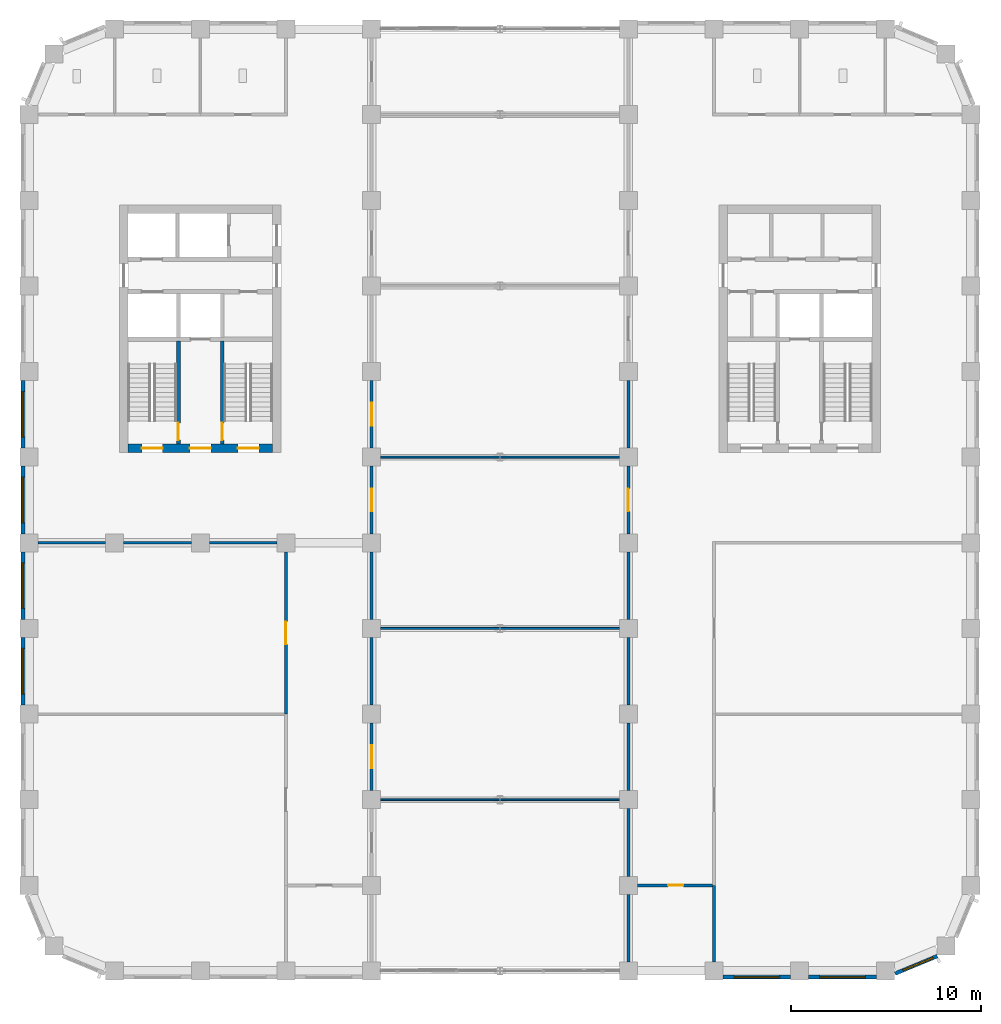
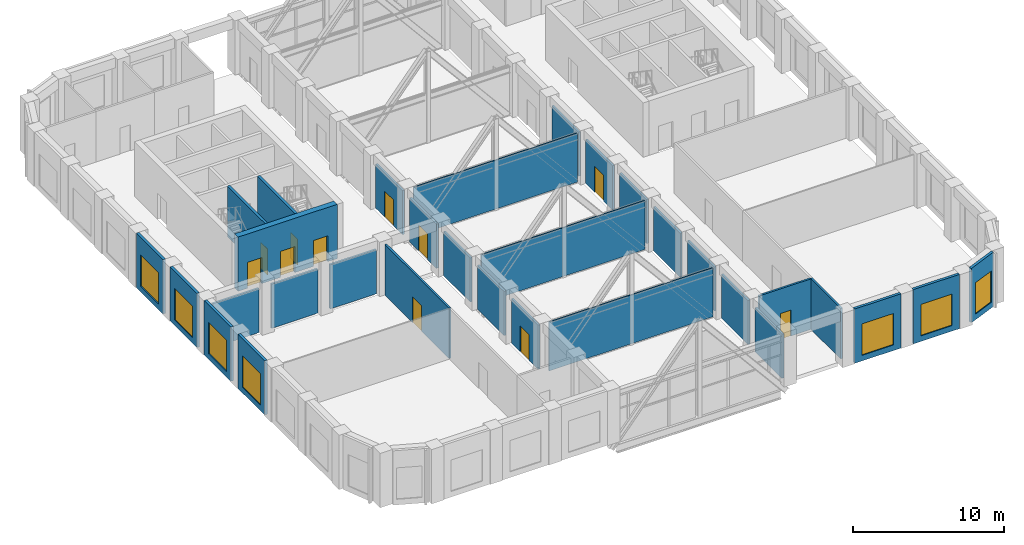
# One storey, part 8 of 15: 31 walls, 11 doors, 7 windows, 18 openings.
"""IFC4 building model written with IfcOpenShell, lengths in metres."""

from ifc_helpers import new_model, si_unit, direction, frame, frame_2d, origin, place, context, subcontext, project, spatial, rectangle, extrude, material, layer, layer_set, type_object, element, fill, save


model = new_model("IFC4")

# Units and contexts
model_context = context("Model", 3, precision=1e-05, world=origin(), true_north=direction((0.0, 1.0)))
body_context = subcontext(model_context, "Body", "Model", "MODEL_VIEW")
ifc_project = project(units=[si_unit("LENGTHUNIT", "METRE"), si_unit("AREAUNIT", "SQUARE_METRE"), si_unit("VOLUMEUNIT", "CUBIC_METRE"), si_unit("PLANEANGLEUNIT", "RADIAN"), si_unit("MASSUNIT", "GRAM", prefix="KILO")], contexts=[model_context])

# Site, building, storey
site_placement = place(None, origin())
site = spatial("IfcSite", under=ifc_project, at=site_placement, CompositionType="ELEMENT")
building_placement = place(site_placement, origin())
building = spatial("IfcBuilding", under=site, at=building_placement, Name="Girih Gate Residences", CompositionType="ELEMENT")
storey_placement = place(building_placement, frame((0.0, 0.0, 168.199951171875)))
storey = spatial("IfcBuildingStorey", under=building, at=storey_placement, Name="L46", CompositionType="ELEMENT", Elevation=168.199951171875)

# Walls
ifc_material_1 = material(Name="Gypsum board on steel studs", Category="steel")
ifc_layer_1 = layer(ifc_material_1, 0.14990234375)
ifc_layer_set_1 = layer_set([ifc_layer_1], Name="Compartment wall 150 mm")
wall_type_1 = type_object("IfcWallType", Name="Compartment wall 150 mm", PredefinedType="PARTITIONING", material=ifc_layer_set_1)
for number, where, z_axis, x_axis, name in (
    (1, (31.5, 0.47509765625, 0.0), (0.0, 0.0, 1.0), (0.0, 1.0, 0.0), "L46 partition"),
    (2, (31.5, 4.97509765625, 0.0), (0.0, 0.0, 1.0), (0.0, 1.0, 0.0), "L46 partition"),
    (3, (31.5, 13.97509765625, 0.0), (0.0, 0.0, 1.0), (0.0, 1.0, 0.0), "L46 partition"),
    (4, (31.5, 9.47509765625, 0.0), (0.0, 0.0, 1.0), (0.0, 1.0, 0.0), "L46 partition"),
):
    element("IfcWall", number, at=place(storey_placement, frame(where, z_axis=z_axis, x_axis=x_axis)), inside=storey, type_object=wall_type_1, Name=name, PredefinedType="PARTITIONING", context=body_context, shape_type="SweptSolid", body=[
        extrude(rectangle(XDim=3.5498046875, YDim=0.14990234375, at=frame_2d((1.77490234375, 0.0))), origin(), (0.0, 0.0, 1.0), 3.580078125),
    ])

# Wall, opening, door
wall_1_placement = place(storey_placement, frame((18.0, 13.02490234375, 0.0), z_axis=(0.0, 0.0, 1.0), x_axis=(0.0, -1.0, 0.0)))
wall_1 = element("IfcWall", 5, at=wall_1_placement, inside=storey, type_object=wall_type_1, Name="L46 partition", PredefinedType="PARTITIONING", context=body_context, shape_type="SweptSolid", body=[
    extrude(rectangle(XDim=3.5498046875, YDim=0.14990234375, at=frame_2d((1.77490234375, 0.0))), origin(), (0.0, 0.0, 1.0), 3.580078125),
])
opening_1_placement = place(wall_1_placement, frame((1.175048828125, 0.0, 0.0)))
opening_1 = element("IfcOpeningElement", 6, at=opening_1_placement, cuts=wall_1, Name="Opening D-L46-S-002", PredefinedType="OPENING", context=body_context, shape_type="SweptSolid", body=[
    extrude(rectangle(XDim=1.199951171875, YDim=2.10009765625, at=frame_2d((0.60009765625, 1.050048828125))), frame((0.0, 0.0849609375, 0.0), z_axis=(0.0, -1.0, 0.0), x_axis=(1.0, 0.0, 0.0)), (0.0, 0.0, 1.0), 0.169921875),
])
ifc_material_2 = material(Name="Timber, fire-rated core", Category="wood")
door_type_1 = type_object("IfcDoorType", Name="Gallery fire door 1200x2100 FD30S", OperationType="SINGLE_SWING_LEFT", PredefinedType="DOOR", material=ifc_material_2)
door_1_placement = place(opening_1_placement, origin())
door_1 = element("IfcDoor", 7, at=door_1_placement, inside=storey, type_object=door_type_1, Name="Door L46-002", OperationType="SINGLE_SWING_LEFT", OverallHeight=2.10009765625, OverallWidth=1.199951171875, PredefinedType="DOOR", context=body_context, shape_type="SweptSolid", body=[
    extrude(rectangle(XDim=1.199951171875, YDim=2.10009765625, at=frame_2d((0.60009765625, 1.050048828125))), frame((0.0, 0.02490234375, 0.0), z_axis=(0.0, -1.0, 0.0), x_axis=(1.0, 0.0, 0.0)), (0.0, 0.0, 1.0), 0.050048828125),
])
fill(opening_1, door_1)

# Wall
wall_2_placement = place(storey_placement, frame((18.0, 13.97509765625, 0.0), z_axis=(0.0, 0.0, 1.0), x_axis=(0.0, 1.0, 0.0)))
element("IfcWall", 8, at=wall_2_placement, inside=storey, type_object=wall_type_1, Name="L46 partition", PredefinedType="PARTITIONING", context=body_context, shape_type="SweptSolid", body=[
    extrude(rectangle(XDim=3.5498046875, YDim=0.14990234375, at=frame_2d((1.77490234375, 0.0))), origin(), (0.0, 0.0, 1.0), 3.580078125),
])

# Wall, opening, door
wall_3_placement = place(storey_placement, frame((31.5, 22.97509765625, 0.0), z_axis=(0.0, 0.0, 1.0), x_axis=(0.0, 1.0, 0.0)))
wall_3 = element("IfcWall", 9, at=wall_3_placement, inside=storey, type_object=wall_type_1, Name="L46 partition", PredefinedType="PARTITIONING", context=body_context, shape_type="SweptSolid", body=[
    extrude(rectangle(XDim=3.5498046875, YDim=0.14990234375, at=frame_2d((1.77490234375, 0.0))), origin(), (0.0, 0.0, 1.0), 3.580078125),
])
opening_2_placement = place(wall_3_placement, frame((1.175048828125, 0.0, 0.0)))
opening_2 = element("IfcOpeningElement", 10, at=opening_2_placement, cuts=wall_3, Name="Opening D-L46-S-003", PredefinedType="OPENING", context=body_context, shape_type="SweptSolid", body=[
    extrude(rectangle(XDim=1.199951171875, YDim=2.10009765625, at=frame_2d((0.60009765625, 1.050048828125))), frame((0.0, 0.0849609375, 0.0), z_axis=(0.0, -1.0, 0.0), x_axis=(1.0, 0.0, 0.0)), (0.0, 0.0, 1.0), 0.169921875),
])
door_2_placement = place(opening_2_placement, origin())
door_2 = element("IfcDoor", 11, at=door_2_placement, inside=storey, type_object=door_type_1, Name="Door L46-003", OperationType="SINGLE_SWING_LEFT", OverallHeight=2.10009765625, OverallWidth=1.199951171875, PredefinedType="DOOR", context=body_context, shape_type="SweptSolid", body=[
    extrude(rectangle(XDim=1.199951171875, YDim=2.10009765625, at=frame_2d((0.60009765625, 1.050048828125))), frame((0.0, 0.02490234375, 0.0), z_axis=(0.0, -1.0, 0.0), x_axis=(1.0, 0.0, 0.0)), (0.0, 0.0, 1.0), 0.050048828125),
])
fill(opening_2, door_2)

# Wall
wall_4_placement = place(storey_placement, frame((31.5, 18.47509765625, 0.0), z_axis=(0.0, 0.0, 1.0), x_axis=(0.0, 1.0, 0.0)))
element("IfcWall", 12, at=wall_4_placement, inside=storey, type_object=wall_type_1, Name="L46 partition", PredefinedType="PARTITIONING", context=body_context, shape_type="SweptSolid", body=[
    extrude(rectangle(XDim=3.5498046875, YDim=0.14990234375, at=frame_2d((1.77490234375, 0.0))), origin(), (0.0, 0.0, 1.0), 3.580078125),
])

# Wall, opening, door
wall_5_placement = place(storey_placement, frame((18.0, 26.52490234375, 0.0), z_axis=(0.0, 0.0, 1.0), x_axis=(0.0, -1.0, 0.0)))
wall_5 = element("IfcWall", 13, at=wall_5_placement, inside=storey, type_object=wall_type_1, Name="L46 partition", PredefinedType="PARTITIONING", context=body_context, shape_type="SweptSolid", body=[
    extrude(rectangle(XDim=3.5498046875, YDim=0.14990234375, at=frame_2d((1.77490234375, 0.0))), origin(), (0.0, 0.0, 1.0), 3.580078125),
])
opening_3_placement = place(wall_5_placement, frame((1.175048828125, 0.0, 0.0)))
opening_3 = element("IfcOpeningElement", 14, at=opening_3_placement, cuts=wall_5, Name="Opening D-L46-S-004", PredefinedType="OPENING", context=body_context, shape_type="SweptSolid", body=[
    extrude(rectangle(XDim=1.199951171875, YDim=2.10009765625, at=frame_2d((0.60009765625, 1.050048828125))), frame((0.0, 0.0849609375, 0.0), z_axis=(0.0, -1.0, 0.0), x_axis=(1.0, 0.0, 0.0)), (0.0, 0.0, 1.0), 0.169921875),
])
door_3_placement = place(opening_3_placement, origin())
door_3 = element("IfcDoor", 15, at=door_3_placement, inside=storey, type_object=door_type_1, Name="Door L46-004", OperationType="SINGLE_SWING_LEFT", OverallHeight=2.10009765625, OverallWidth=1.199951171875, PredefinedType="DOOR", context=body_context, shape_type="SweptSolid", body=[
    extrude(rectangle(XDim=1.199951171875, YDim=2.10009765625, at=frame_2d((0.60009765625, 1.050048828125))), frame((0.0, 0.02490234375, 0.0), z_axis=(0.0, -1.0, 0.0), x_axis=(1.0, 0.0, 0.0)), (0.0, 0.0, 1.0), 0.050048828125),
])
fill(opening_3, door_3)

# Walls
for number, where, z_axis, x_axis, name in (
    (16, (18.0, 18.47509765625, 0.0), (0.0, 0.0, 1.0), (0.0, 1.0, 0.0), "L46 partition"),
    (17, (31.5, 27.47509765625, 0.0), (0.0, 0.0, 1.0), (0.0, 1.0, 0.0), "L46 partition"),
):
    element("IfcWall", number, at=place(storey_placement, frame(where, z_axis=z_axis, x_axis=x_axis)), inside=storey, type_object=wall_type_1, Name=name, PredefinedType="PARTITIONING", context=body_context, shape_type="SweptSolid", body=[
        extrude(rectangle(XDim=3.5498046875, YDim=0.14990234375, at=frame_2d((1.77490234375, 0.0))), origin(), (0.0, 0.0, 1.0), 3.580078125),
    ])

# Wall, opening, door
wall_6_placement = place(storey_placement, frame((18.0, 31.02490234375, 0.0), z_axis=(0.0, 0.0, 1.0), x_axis=(0.0, -1.0, 0.0)))
wall_6 = element("IfcWall", 18, at=wall_6_placement, inside=storey, type_object=wall_type_1, Name="L46 partition", PredefinedType="PARTITIONING", context=body_context, shape_type="SweptSolid", body=[
    extrude(rectangle(XDim=3.5498046875, YDim=0.14990234375, at=frame_2d((1.77490234375, 0.0))), origin(), (0.0, 0.0, 1.0), 3.580078125),
])
opening_4_placement = place(wall_6_placement, frame((1.175048828125, 0.0, 0.0)))
opening_4 = element("IfcOpeningElement", 19, at=opening_4_placement, cuts=wall_6, Name="Opening D-L46-S-006", PredefinedType="OPENING", context=body_context, shape_type="SweptSolid", body=[
    extrude(rectangle(XDim=1.199951171875, YDim=2.10009765625, at=frame_2d((0.60009765625, 1.050048828125))), frame((0.0, 0.0849609375, 0.0), z_axis=(0.0, -1.0, 0.0), x_axis=(1.0, 0.0, 0.0)), (0.0, 0.0, 1.0), 0.169921875),
])
door_4_placement = place(opening_4_placement, origin())
door_4 = element("IfcDoor", 20, at=door_4_placement, inside=storey, type_object=door_type_1, Name="Door L46-006", OperationType="SINGLE_SWING_LEFT", OverallHeight=2.10009765625, OverallWidth=1.199951171875, PredefinedType="DOOR", context=body_context, shape_type="SweptSolid", body=[
    extrude(rectangle(XDim=1.199951171875, YDim=2.10009765625, at=frame_2d((0.60009765625, 1.050048828125))), frame((0.0, 0.02490234375, 0.0), z_axis=(0.0, -1.0, 0.0), x_axis=(1.0, 0.0, 0.0)), (0.0, 0.0, 1.0), 0.050048828125),
])
fill(opening_4, door_4)

# Wall
wall_7_placement = place(storey_placement, frame((36.0, 0.47509765625, 0.0), z_axis=(0.0, 0.0, 1.0), x_axis=(0.0, 1.0, 0.0)))
element("IfcWall", 21, at=wall_7_placement, inside=storey, type_object=wall_type_1, Name="L46 partition", PredefinedType="PARTITIONING", context=body_context, shape_type="SweptSolid", body=[
    extrude(rectangle(XDim=4.02490234375, YDim=0.14990234375, at=frame_2d((2.012451171875, 0.0))), origin(), (0.0, 0.0, 1.0), 4.10009765625),
])

# Wall, opening, door
wall_8_placement = place(storey_placement, frame((35.925048828125, 4.5, 0.0), z_axis=(0.0, 0.0, 1.0), x_axis=(-1.0, 0.0, 0.0)))
wall_8 = element("IfcWall", 22, at=wall_8_placement, inside=storey, type_object=wall_type_1, Name="L46 partition", PredefinedType="PARTITIONING", context=body_context, shape_type="SweptSolid", body=[
    extrude(rectangle(XDim=3.949951171875, YDim=0.14990234375, at=frame_2d((1.97509765625, 0.0))), origin(), (0.0, 0.0, 1.0), 4.10009765625),
])
opening_5_placement = place(wall_8_placement, frame((1.53759765625, 0.0, 0.0)))
opening_5 = element("IfcOpeningElement", 23, at=opening_5_placement, cuts=wall_8, Name="Opening D-L46-S-013", PredefinedType="OPENING", context=body_context, shape_type="SweptSolid", body=[
    extrude(rectangle(XDim=0.800048828125, YDim=2.10009765625, at=frame_2d((0.39990234375, 1.050048828125))), frame((0.0, 0.0849609375, 0.0), z_axis=(0.0, -1.0, 0.0), x_axis=(1.0, 0.0, 0.0)), (0.0, 0.0, 1.0), 0.169921875),
])
ifc_material_3 = material(Name="Timber", Category="wood")
door_type_2 = type_object("IfcDoorType", Name="WC and store door 800x2100", OperationType="SINGLE_SWING_LEFT", PredefinedType="DOOR", material=ifc_material_3)
door_5_placement = place(opening_5_placement, origin())
door_5 = element("IfcDoor", 24, at=door_5_placement, inside=storey, type_object=door_type_2, Name="Door L46-013", OperationType="SINGLE_SWING_LEFT", OverallHeight=2.10009765625, OverallWidth=0.800048828125, PredefinedType="DOOR", context=body_context, shape_type="SweptSolid", body=[
    extrude(rectangle(XDim=0.800048828125, YDim=2.10009765625, at=frame_2d((0.39990234375, 1.050048828125))), frame((0.0, 0.02490234375, 0.0), z_axis=(0.0, -1.0, 0.0), x_axis=(1.0, 0.0, 0.0)), (0.0, 0.0, 1.0), 0.050048828125),
])
fill(opening_5, door_5)

# Walls
for number, where, z_axis, x_axis, name in (
    (25, (9.47509765625, 22.5, 0.0), (0.0, 0.0, 1.0), (1.0, 0.0, 0.0), "L46 partition"),
    (26, (4.97509765625, 22.5, 0.0), (0.0, 0.0, 1.0), (1.0, 0.0, 0.0), "L46 partition"),
    (27, (0.47509765625, 22.5, 0.0), (0.0, 0.0, 1.0), (1.0, 0.0, 0.0), "L46 partition"),
):
    element("IfcWall", number, at=place(storey_placement, frame(where, z_axis=z_axis, x_axis=x_axis)), inside=storey, type_object=wall_type_1, Name=name, PredefinedType="PARTITIONING", context=body_context, shape_type="SweptSolid", body=[
        extrude(rectangle(XDim=3.5498046875, YDim=0.14990234375, at=frame_2d((1.77490234375, 0.0))), origin(), (0.0, 0.0, 1.0), 3.580078125),
    ])

# Wall, opening, door
wall_9_placement = place(storey_placement, frame((13.5, 13.5, 0.0), z_axis=(0.0, 0.0, 1.0), x_axis=(0.0, 1.0, 0.0)))
wall_9 = element("IfcWall", 28, at=wall_9_placement, inside=storey, type_object=wall_type_1, Name="L46 partition", PredefinedType="PARTITIONING", context=body_context, shape_type="SweptSolid", body=[
    extrude(rectangle(XDim=8.52490234375, YDim=0.14990234375, at=frame_2d((4.262451171875, 0.0))), origin(), (0.0, 0.0, 1.0), 4.10009765625),
])
opening_6_placement = place(wall_9_placement, frame((3.66259765625, 0.0, 0.0)))
opening_6 = element("IfcOpeningElement", 29, at=opening_6_placement, cuts=wall_9, Name="Opening D-L46-S-021", PredefinedType="OPENING", context=body_context, shape_type="SweptSolid", body=[
    extrude(rectangle(XDim=1.199951171875, YDim=2.10009765625, at=frame_2d((0.60009765625, 1.050048828125))), frame((0.0, 0.0849609375, 0.0), z_axis=(0.0, -1.0, 0.0), x_axis=(1.0, 0.0, 0.0)), (0.0, 0.0, 1.0), 0.169921875),
])
door_6_placement = place(opening_6_placement, origin())
door_6 = element("IfcDoor", 30, at=door_6_placement, inside=storey, type_object=door_type_1, Name="Door L46-021", OperationType="SINGLE_SWING_RIGHT", OverallHeight=2.10009765625, OverallWidth=1.199951171875, PredefinedType="DOOR", context=body_context, shape_type="SweptSolid", body=[
    extrude(rectangle(XDim=1.199951171875, YDim=2.10009765625, at=frame_2d((0.60009765625, 1.050048828125))), frame((0.0, 0.02490234375, 0.0), z_axis=(0.0, -1.0, 0.0), x_axis=(1.0, 0.0, 0.0)), (0.0, 0.0, 1.0), 0.050048828125),
])
fill(opening_6, door_6)

# Wall, openings, doors
ifc_material_4 = material(Name="Concrete C60/75", Category="concrete")
ifc_layer_2 = layer(ifc_material_4, 0.449951171875)
ifc_layer_set_2 = layer_set([ifc_layer_2], Name="Core wall RC 450 Concrete C60/75")
wall_type_2 = type_object("IfcWallType", Name="Core wall RC 450 Concrete C60/75", PredefinedType="SOLIDWALL", material=ifc_layer_set_2)
wall_10_placement = place(storey_placement, frame((5.199951171875, 27.47509765625, 0.0), z_axis=(0.0, 0.0, 1.0), x_axis=(1.0, 0.0, 0.0)))
wall_10 = element("IfcWall", 31, at=wall_10_placement, inside=storey, type_object=wall_type_2, Name="Core wall W-S L46", PredefinedType="SOLIDWALL", context=body_context, shape_type="SweptSolid", body=[
    extrude(rectangle(XDim=7.60009765625, YDim=0.449951171875, at=frame_2d((3.800048828125, 0.0))), origin(), (0.0, 0.0, 1.0), 4.400146484375),
])
opening_7_placement = place(wall_10_placement, frame((0.72509765625, 0.0, 0.0)))
opening_7 = element("IfcOpeningElement", 32, at=opening_7_placement, cuts=wall_10, Name="Opening D-L46-W-008", PredefinedType="OPENING", context=body_context, shape_type="SweptSolid", body=[
    extrude(rectangle(XDim=1.10009765625, YDim=2.10009765625, at=frame_2d((0.550048828125, 1.050048828125))), frame((0.0, 0.23486328125, 0.0), z_axis=(0.0, -1.0, 0.0), x_axis=(1.0, 0.0, 0.0)), (0.0, 0.0, 1.0), 0.469970703125),
])
opening_8_placement = place(wall_10_placement, frame((3.25, 0.0, 0.0)))
opening_8 = element("IfcOpeningElement", 33, at=opening_8_placement, cuts=wall_10, Name="Opening D-L46-W-009", PredefinedType="OPENING", context=body_context, shape_type="SweptSolid", body=[
    extrude(rectangle(XDim=1.10009765625, YDim=2.10009765625, at=frame_2d((0.550048828125, 1.050048828125))), frame((0.0, 0.23486328125, 0.0), z_axis=(0.0, -1.0, 0.0), x_axis=(1.0, 0.0, 0.0)), (0.0, 0.0, 1.0), 0.469970703125),
])
opening_9_placement = place(wall_10_placement, frame((5.77490234375, 0.0, 0.0)))
opening_9 = element("IfcOpeningElement", 34, at=opening_9_placement, cuts=wall_10, Name="Opening D-L46-W-010", PredefinedType="OPENING", context=body_context, shape_type="SweptSolid", body=[
    extrude(rectangle(XDim=1.10009765625, YDim=2.10009765625, at=frame_2d((0.550048828125, 1.050048828125))), frame((0.0, 0.23486328125, 0.0), z_axis=(0.0, -1.0, 0.0), x_axis=(1.0, 0.0, 0.0)), (0.0, 0.0, 1.0), 0.469970703125),
])
ifc_material_5 = material(Name="Painted steel, fire-resisting", Category="steel")
door_type_3 = type_object("IfcDoorType", Name="Fire door 1100x2100", OperationType="SINGLE_SWING_LEFT", PredefinedType="DOOR", material=ifc_material_5)
door_7_placement = place(opening_7_placement, origin())
door_7 = element("IfcDoor", 35, at=door_7_placement, inside=storey, type_object=door_type_3, Name="L46 W core door sta-out", OperationType="SINGLE_SWING_LEFT", OverallHeight=2.10009765625, OverallWidth=1.10009765625, PredefinedType="DOOR", context=body_context, shape_type="SweptSolid", body=[
    extrude(rectangle(XDim=1.10009765625, YDim=2.10009765625, at=frame_2d((0.550048828125, 1.050048828125))), frame((0.0, 0.02490234375, 0.0), z_axis=(0.0, -1.0, 0.0), x_axis=(1.0, 0.0, 0.0)), (0.0, 0.0, 1.0), 0.050048828125),
])
fill(opening_7, door_7)
door_8_placement = place(opening_8_placement, origin())
door_8 = element("IfcDoor", 36, at=door_8_placement, inside=storey, type_object=door_type_3, Name="L46 W core door ffl-out", OperationType="SINGLE_SWING_LEFT", OverallHeight=2.10009765625, OverallWidth=1.10009765625, PredefinedType="DOOR", context=body_context, shape_type="SweptSolid", body=[
    extrude(rectangle(XDim=1.10009765625, YDim=2.10009765625, at=frame_2d((0.550048828125, 1.050048828125))), frame((0.0, 0.02490234375, 0.0), z_axis=(0.0, -1.0, 0.0), x_axis=(1.0, 0.0, 0.0)), (0.0, 0.0, 1.0), 0.050048828125),
])
fill(opening_8, door_8)
door_9_placement = place(opening_9_placement, origin())
door_9 = element("IfcDoor", 37, at=door_9_placement, inside=storey, type_object=door_type_3, Name="L46 W core door stb-out", OperationType="SINGLE_SWING_LEFT", OverallHeight=2.10009765625, OverallWidth=1.10009765625, PredefinedType="DOOR", context=body_context, shape_type="SweptSolid", body=[
    extrude(rectangle(XDim=1.10009765625, YDim=2.10009765625, at=frame_2d((0.550048828125, 1.050048828125))), frame((0.0, 0.02490234375, 0.0), z_axis=(0.0, -1.0, 0.0), x_axis=(1.0, 0.0, 0.0)), (0.0, 0.0, 1.0), 0.050048828125),
])
fill(opening_9, door_9)

# Walls
ifc_layer_3 = layer(ifc_material_1, 0.10009765625)
ifc_layer_set_3 = layer_set([ifc_layer_3], Name="Partition 100 mm")
wall_type_3 = type_object("IfcWallType", Name="Partition 100 mm", PredefinedType="PARTITIONING", material=ifc_layer_set_3)
for number, where, z_axis, x_axis, name in (
    (38, (18.47509765625, 9.0, 0.0), (0.0, 0.0, 1.0), (1.0, 0.0, 0.0), "L46 partition"),
    (39, (18.47509765625, 18.0, 0.0), (0.0, 0.0, 1.0), (1.0, 0.0, 0.0), "L46 partition"),
    (40, (18.47509765625, 27.0, 0.0), (0.0, 0.0, 1.0), (1.0, 0.0, 0.0), "L46 partition"),
):
    element("IfcWall", number, at=place(storey_placement, frame(where, z_axis=z_axis, x_axis=x_axis)), inside=storey, type_object=wall_type_3, Name=name, PredefinedType="PARTITIONING", context=body_context, shape_type="SweptSolid", body=[
        extrude(rectangle(XDim=12.5498046875, YDim=0.10009765625, at=frame_2d((6.27490234375, 0.0))), origin(), (0.0, 0.0, 1.0), 3.949951171875),
    ])

# Wall, opening, window
ifc_material_6 = material(Name="Precast concrete C50/60", Category="concrete")
ifc_layer_4 = layer(ifc_material_6, 0.06005859375, Name="Outer leaf")
ifc_material_7 = material(Name="Rigid PIR insulation")
ifc_layer_5 = layer(ifc_material_7, 0.090087890625, Name="Insulation")
ifc_material_8 = material(Name="Precast concrete C40/50", Category="concrete")
ifc_layer_6 = layer(ifc_material_8, 0.050048828125, Name="Inner leaf")
ifc_layer_set_4 = layer_set([ifc_layer_4, ifc_layer_5, ifc_layer_6], Name="Precast concrete C50/60 external wall 200")
wall_type_4 = type_object("IfcWallType", Name="Precast concrete C50/60 external wall 200", PredefinedType="SOLIDWALL", material=ifc_layer_set_4)
wall_11_placement = place(storey_placement, frame((40.02490234375, -0.324951171875, 0.0), z_axis=(0.0, 0.0, 1.0), x_axis=(-1.0, 0.0, 0.0)))
wall_11 = element("IfcWall", 41, at=wall_11_placement, inside=storey, type_object=wall_type_4, Name="External wall S0045_0000.7", PredefinedType="SOLIDWALL", context=body_context, shape_type="SweptSolid", body=[
    extrude(rectangle(XDim=3.5498046875, YDim=0.199951171875, at=frame_2d((1.77490234375, 0.0))), origin(), (0.0, 0.0, 1.0), 4.400146484375),
])
opening_10_placement = place(wall_11_placement, frame((0.574951171875, 0.0, 0.449951171875)))
opening_10 = element("IfcOpeningElement", 42, at=opening_10_placement, cuts=wall_11, Name="Opening W-6B", PredefinedType="OPENING", context=body_context, shape_type="SweptSolid", body=[
    extrude(rectangle(XDim=2.39990234375, YDim=2.550048828125, at=frame_2d((1.199951171875, 1.27490234375))), frame((0.0, 0.10986328125, 0.0), z_axis=(0.0, -1.0, 0.0), x_axis=(1.0, 0.0, 0.0)), (0.0, 0.0, 1.0), 0.219970703125),
])
ifc_material_9 = material(Name="Double glazing in aluminium frame", Category="aluminium")
window_type_1 = type_object("IfcWindowType", Name="Window W-6B 2400x2550", PartitioningType="SINGLE_PANEL", PredefinedType="WINDOW", material=ifc_material_9)
window_1_placement = place(opening_10_placement, origin())
window_1 = element("IfcWindow", 43, at=window_1_placement, inside=storey, type_object=window_type_1, Name="Window W-6B S0045_0000.7", OverallHeight=2.550048828125, OverallWidth=2.39990234375, PartitioningType="SINGLE_PANEL", PredefinedType="WINDOW", context=body_context, shape_type="SweptSolid", body=[
    extrude(rectangle(XDim=2.39990234375, YDim=2.550048828125, at=frame_2d((1.199951171875, 1.27490234375))), frame((0.0, 0.030029296875, 0.0), z_axis=(0.0, -1.0, 0.0), x_axis=(1.0, 0.0, 0.0)), (0.0, 0.0, 1.0), 0.06005859375),
])
fill(opening_10, window_1)

wall_12_placement = place(storey_placement, frame((44.52490234375, -0.324951171875, 0.0), z_axis=(0.0, 0.0, 1.0), x_axis=(-1.0, 0.0, 0.0)))
wall_12 = element("IfcWall", 44, at=wall_12_placement, inside=storey, type_object=wall_type_4, Name="External wall S0045_0000.8", PredefinedType="SOLIDWALL", context=body_context, shape_type="SweptSolid", body=[
    extrude(rectangle(XDim=3.5498046875, YDim=0.199951171875, at=frame_2d((1.77490234375, 0.0))), origin(), (0.0, 0.0, 1.0), 4.400146484375),
])
opening_11_placement = place(wall_12_placement, frame((0.574951171875, 0.0, 0.449951171875)))
opening_11 = element("IfcOpeningElement", 45, at=opening_11_placement, cuts=wall_12, Name="Opening W-6B", PredefinedType="OPENING", context=body_context, shape_type="SweptSolid", body=[
    extrude(rectangle(XDim=2.39990234375, YDim=2.550048828125, at=frame_2d((1.199951171875, 1.27490234375))), frame((0.0, 0.10986328125, 0.0), z_axis=(0.0, -1.0, 0.0), x_axis=(1.0, 0.0, 0.0)), (0.0, 0.0, 1.0), 0.219970703125),
])
window_2_placement = place(opening_11_placement, origin())
window_2 = element("IfcWindow", 46, at=window_2_placement, inside=storey, type_object=window_type_1, Name="Window W-6B S0045_0000.8", OverallHeight=2.550048828125, OverallWidth=2.39990234375, PartitioningType="SINGLE_PANEL", PredefinedType="WINDOW", context=body_context, shape_type="SweptSolid", body=[
    extrude(rectangle(XDim=2.39990234375, YDim=2.550048828125, at=frame_2d((1.199951171875, 1.27490234375))), frame((0.0, 0.030029296875, 0.0), z_axis=(0.0, -1.0, 0.0), x_axis=(1.0, 0.0, 0.0)), (0.0, 0.0, 1.0), 0.06005859375),
])
fill(opening_11, window_2)

wall_13_placement = place(storey_placement, frame((47.73291015625, 0.7802734375, 0.0), z_axis=(0.0, 0.0, 1.0), x_axis=(-0.923880599843, -0.382680855588, 0.0)))
wall_13 = element("IfcWall", 47, at=wall_13_placement, inside=storey, type_object=wall_type_4, Name="External wall SE0450_0000.0", PredefinedType="SOLIDWALL", context=body_context, shape_type="SweptSolid", body=[
    extrude(rectangle(XDim=2.402587890625, YDim=0.199951171875, at=frame_2d((1.201171875, 0.0))), origin(), (0.0, 0.0, 1.0), 4.400146484375),
])
opening_12_placement = place(wall_13_placement, frame((0.25146484375, 0.0, 0.449951171875)))
opening_12 = element("IfcOpeningElement", 48, at=opening_12_placement, cuts=wall_13, Name="Opening W-2F", PredefinedType="OPENING", context=body_context, shape_type="SweptSolid", body=[
    extrude(rectangle(XDim=1.699951171875, YDim=2.550048828125, at=frame_2d((0.85009765625, 1.27490234375))), frame((0.0, 0.10986328125, 0.0), z_axis=(0.0, -1.0, 0.0), x_axis=(1.0, 0.0, 0.0)), (0.0, 0.0, 1.0), 0.219970703125),
])
window_type_2 = type_object("IfcWindowType", Name="Window W-2F 1700x2550", PartitioningType="SINGLE_PANEL", PredefinedType="WINDOW", material=ifc_material_9)
window_3_placement = place(opening_12_placement, origin())
window_3 = element("IfcWindow", 49, at=window_3_placement, inside=storey, type_object=window_type_2, Name="Window W-2F SE0450_0000.0", OverallHeight=2.550048828125, OverallWidth=1.699951171875, PartitioningType="SINGLE_PANEL", PredefinedType="WINDOW", context=body_context, shape_type="SweptSolid", body=[
    extrude(rectangle(XDim=1.699951171875, YDim=2.550048828125, at=frame_2d((0.85009765625, 1.27490234375))), frame((0.0, 0.030029296875, 0.0), z_axis=(0.0, -1.0, 0.0), x_axis=(1.0, 0.0, 0.0)), (0.0, 0.0, 1.0), 0.06005859375),
])
fill(opening_12, window_3)

wall_14_placement = place(storey_placement, frame((-0.324951171875, 27.47509765625, 0.0), z_axis=(0.0, 0.0, 1.0), x_axis=(0.0, 1.0, 0.0)))
wall_14 = element("IfcWall", 50, at=wall_14_placement, inside=storey, type_object=wall_type_4, Name="External wall W0000_0450.3", PredefinedType="SOLIDWALL", context=body_context, shape_type="SweptSolid", body=[
    extrude(rectangle(XDim=3.5498046875, YDim=0.199951171875, at=frame_2d((1.77490234375, 0.0))), origin(), (0.0, 0.0, 1.0), 4.400146484375),
])
opening_13_placement = place(wall_14_placement, frame((0.574951171875, 0.0, 0.449951171875)))
opening_13 = element("IfcOpeningElement", 51, at=opening_13_placement, cuts=wall_14, Name="Opening W-6B", PredefinedType="OPENING", context=body_context, shape_type="SweptSolid", body=[
    extrude(rectangle(XDim=2.39990234375, YDim=2.550048828125, at=frame_2d((1.199951171875, 1.27490234375))), frame((0.0, 0.10986328125, 0.0), z_axis=(0.0, -1.0, 0.0), x_axis=(1.0, 0.0, 0.0)), (0.0, 0.0, 1.0), 0.219970703125),
])
window_4_placement = place(opening_13_placement, origin())
window_4 = element("IfcWindow", 52, at=window_4_placement, inside=storey, type_object=window_type_1, Name="Window W-6B W0000_0450.3", OverallHeight=2.550048828125, OverallWidth=2.39990234375, PartitioningType="SINGLE_PANEL", PredefinedType="WINDOW", context=body_context, shape_type="SweptSolid", body=[
    extrude(rectangle(XDim=2.39990234375, YDim=2.550048828125, at=frame_2d((1.199951171875, 1.27490234375))), frame((0.0, 0.030029296875, 0.0), z_axis=(0.0, -1.0, 0.0), x_axis=(1.0, 0.0, 0.0)), (0.0, 0.0, 1.0), 0.06005859375),
])
fill(opening_13, window_4)

wall_15_placement = place(storey_placement, frame((-0.324951171875, 22.97509765625, 0.0), z_axis=(0.0, 0.0, 1.0), x_axis=(0.0, 1.0, 0.0)))
wall_15 = element("IfcWall", 53, at=wall_15_placement, inside=storey, type_object=wall_type_4, Name="External wall W0000_0450.4", PredefinedType="SOLIDWALL", context=body_context, shape_type="SweptSolid", body=[
    extrude(rectangle(XDim=3.5498046875, YDim=0.199951171875, at=frame_2d((1.77490234375, 0.0))), origin(), (0.0, 0.0, 1.0), 4.400146484375),
])
opening_14_placement = place(wall_15_placement, frame((0.574951171875, 0.0, 0.449951171875)))
opening_14 = element("IfcOpeningElement", 54, at=opening_14_placement, cuts=wall_15, Name="Opening W-6B", PredefinedType="OPENING", context=body_context, shape_type="SweptSolid", body=[
    extrude(rectangle(XDim=2.39990234375, YDim=2.550048828125, at=frame_2d((1.199951171875, 1.27490234375))), frame((0.0, 0.10986328125, 0.0), z_axis=(0.0, -1.0, 0.0), x_axis=(1.0, 0.0, 0.0)), (0.0, 0.0, 1.0), 0.219970703125),
])
window_5_placement = place(opening_14_placement, origin())
window_5 = element("IfcWindow", 55, at=window_5_placement, inside=storey, type_object=window_type_1, Name="Window W-6B W0000_0450.4", OverallHeight=2.550048828125, OverallWidth=2.39990234375, PartitioningType="SINGLE_PANEL", PredefinedType="WINDOW", context=body_context, shape_type="SweptSolid", body=[
    extrude(rectangle(XDim=2.39990234375, YDim=2.550048828125, at=frame_2d((1.199951171875, 1.27490234375))), frame((0.0, 0.030029296875, 0.0), z_axis=(0.0, -1.0, 0.0), x_axis=(1.0, 0.0, 0.0)), (0.0, 0.0, 1.0), 0.06005859375),
])
fill(opening_14, window_5)

wall_16_placement = place(storey_placement, frame((-0.324951171875, 18.47509765625, 0.0), z_axis=(0.0, 0.0, 1.0), x_axis=(0.0, 1.0, 0.0)))
wall_16 = element("IfcWall", 56, at=wall_16_placement, inside=storey, type_object=wall_type_4, Name="External wall W0000_0450.5", PredefinedType="SOLIDWALL", context=body_context, shape_type="SweptSolid", body=[
    extrude(rectangle(XDim=3.5498046875, YDim=0.199951171875, at=frame_2d((1.77490234375, 0.0))), origin(), (0.0, 0.0, 1.0), 4.400146484375),
])
opening_15_placement = place(wall_16_placement, frame((0.574951171875, 0.0, 0.449951171875)))
opening_15 = element("IfcOpeningElement", 57, at=opening_15_placement, cuts=wall_16, Name="Opening W-6B", PredefinedType="OPENING", context=body_context, shape_type="SweptSolid", body=[
    extrude(rectangle(XDim=2.39990234375, YDim=2.550048828125, at=frame_2d((1.199951171875, 1.27490234375))), frame((0.0, 0.10986328125, 0.0), z_axis=(0.0, -1.0, 0.0), x_axis=(1.0, 0.0, 0.0)), (0.0, 0.0, 1.0), 0.219970703125),
])
window_6_placement = place(opening_15_placement, origin())
window_6 = element("IfcWindow", 58, at=window_6_placement, inside=storey, type_object=window_type_1, Name="Window W-6B W0000_0450.5", OverallHeight=2.550048828125, OverallWidth=2.39990234375, PartitioningType="SINGLE_PANEL", PredefinedType="WINDOW", context=body_context, shape_type="SweptSolid", body=[
    extrude(rectangle(XDim=2.39990234375, YDim=2.550048828125, at=frame_2d((1.199951171875, 1.27490234375))), frame((0.0, 0.030029296875, 0.0), z_axis=(0.0, -1.0, 0.0), x_axis=(1.0, 0.0, 0.0)), (0.0, 0.0, 1.0), 0.06005859375),
])
fill(opening_15, window_6)

wall_17_placement = place(storey_placement, frame((-0.324951171875, 13.97509765625, 0.0), z_axis=(0.0, 0.0, 1.0), x_axis=(0.0, 1.0, 0.0)))
wall_17 = element("IfcWall", 59, at=wall_17_placement, inside=storey, type_object=wall_type_4, Name="External wall W0000_0450.6", PredefinedType="SOLIDWALL", context=body_context, shape_type="SweptSolid", body=[
    extrude(rectangle(XDim=3.5498046875, YDim=0.199951171875, at=frame_2d((1.77490234375, 0.0))), origin(), (0.0, 0.0, 1.0), 4.400146484375),
])
opening_16_placement = place(wall_17_placement, frame((0.574951171875, 0.0, 0.449951171875)))
opening_16 = element("IfcOpeningElement", 60, at=opening_16_placement, cuts=wall_17, Name="Opening W-6B", PredefinedType="OPENING", context=body_context, shape_type="SweptSolid", body=[
    extrude(rectangle(XDim=2.39990234375, YDim=2.550048828125, at=frame_2d((1.199951171875, 1.27490234375))), frame((0.0, 0.10986328125, 0.0), z_axis=(0.0, -1.0, 0.0), x_axis=(1.0, 0.0, 0.0)), (0.0, 0.0, 1.0), 0.219970703125),
])
window_7_placement = place(opening_16_placement, origin())
window_7 = element("IfcWindow", 61, at=window_7_placement, inside=storey, type_object=window_type_1, Name="Window W-6B W0000_0450.6", OverallHeight=2.550048828125, OverallWidth=2.39990234375, PartitioningType="SINGLE_PANEL", PredefinedType="WINDOW", context=body_context, shape_type="SweptSolid", body=[
    extrude(rectangle(XDim=2.39990234375, YDim=2.550048828125, at=frame_2d((1.199951171875, 1.27490234375))), frame((0.0, 0.030029296875, 0.0), z_axis=(0.0, -1.0, 0.0), x_axis=(1.0, 0.0, 0.0)), (0.0, 0.0, 1.0), 0.06005859375),
])
fill(opening_16, window_7)

# Wall, opening, door
ifc_material_10 = material(Name="Concrete C40/50", Category="concrete")
ifc_layer_7 = layer(ifc_material_10, 0.199951171875)
ifc_layer_set_5 = layer_set([ifc_layer_7], Name="Shaft wall 200")
wall_type_5 = type_object("IfcWallType", Name="Shaft wall 200", PredefinedType="SOLIDWALL", material=ifc_layer_set_5)
wall_18_placement = place(storey_placement, frame((7.85009765625, 27.699951171875, 0.0), z_axis=(0.0, 0.0, 1.0), x_axis=(0.0, 1.0, 0.0)))
wall_18 = element("IfcWall", 62, at=wall_18_placement, inside=storey, type_object=wall_type_5, Name="L46 W core wall V1a", PredefinedType="SOLIDWALL", context=body_context, shape_type="SweptSolid", body=[
    extrude(rectangle(XDim=5.400146484375, YDim=0.199951171875, at=frame_2d((2.7001953125, 0.0))), origin(), (0.0, 0.0, 1.0), 4.10009765625),
])
opening_17_placement = place(wall_18_placement, frame((0.199951171875, 0.0, 0.0)))
opening_17 = element("IfcOpeningElement", 63, at=opening_17_placement, cuts=wall_18, Name="Opening D-L46-W-001", PredefinedType="OPENING", context=body_context, shape_type="SweptSolid", body=[
    extrude(rectangle(XDim=0.89990234375, YDim=2.10009765625, at=frame_2d((0.449951171875, 1.050048828125))), frame((0.0, 0.10986328125, 0.0), z_axis=(0.0, -1.0, 0.0), x_axis=(1.0, 0.0, 0.0)), (0.0, 0.0, 1.0), 0.219970703125),
])
door_type_4 = type_object("IfcDoorType", Name="Fire door 900x2100", OperationType="SINGLE_SWING_LEFT", PredefinedType="DOOR", material=ifc_material_5)
door_10_placement = place(opening_17_placement, origin())
door_10 = element("IfcDoor", 64, at=door_10_placement, inside=storey, type_object=door_type_4, Name="L46 W door stair 1 to firefighting lobby", OperationType="SINGLE_SWING_LEFT", OverallHeight=2.10009765625, OverallWidth=0.89990234375, PredefinedType="DOOR", context=body_context, shape_type="SweptSolid", body=[
    extrude(rectangle(XDim=0.89990234375, YDim=2.10009765625, at=frame_2d((0.449951171875, 1.050048828125))), frame((0.0, 0.02490234375, 0.0), z_axis=(0.0, -1.0, 0.0), x_axis=(1.0, 0.0, 0.0)), (0.0, 0.0, 1.0), 0.050048828125),
])
fill(opening_17, door_10)

wall_19_placement = place(storey_placement, frame((10.14990234375, 27.699951171875, 0.0), z_axis=(0.0, 0.0, 1.0), x_axis=(0.0, 1.0, 0.0)))
wall_19 = element("IfcWall", 65, at=wall_19_placement, inside=storey, type_object=wall_type_5, Name="L46 W core wall V2a", PredefinedType="SOLIDWALL", context=body_context, shape_type="SweptSolid", body=[
    extrude(rectangle(XDim=5.400146484375, YDim=0.199951171875, at=frame_2d((2.7001953125, 0.0))), origin(), (0.0, 0.0, 1.0), 4.10009765625),
])
opening_18_placement = place(wall_19_placement, frame((0.199951171875, 0.0, 0.0)))
opening_18 = element("IfcOpeningElement", 66, at=opening_18_placement, cuts=wall_19, Name="Opening D-L46-W-002", PredefinedType="OPENING", context=body_context, shape_type="SweptSolid", body=[
    extrude(rectangle(XDim=0.89990234375, YDim=2.10009765625, at=frame_2d((0.449951171875, 1.050048828125))), frame((0.0, 0.10986328125, 0.0), z_axis=(0.0, -1.0, 0.0), x_axis=(1.0, 0.0, 0.0)), (0.0, 0.0, 1.0), 0.219970703125),
])
door_11_placement = place(opening_18_placement, origin())
door_11 = element("IfcDoor", 67, at=door_11_placement, inside=storey, type_object=door_type_4, Name="L46 W door stair 2 to firefighting lobby", OperationType="SINGLE_SWING_LEFT", OverallHeight=2.10009765625, OverallWidth=0.89990234375, PredefinedType="DOOR", context=body_context, shape_type="SweptSolid", body=[
    extrude(rectangle(XDim=0.89990234375, YDim=2.10009765625, at=frame_2d((0.449951171875, 1.050048828125))), frame((0.0, 0.02490234375, 0.0), z_axis=(0.0, -1.0, 0.0), x_axis=(1.0, 0.0, 0.0)), (0.0, 0.0, 1.0), 0.050048828125),
])
fill(opening_18, door_11)

save(model, "model.ifc")
